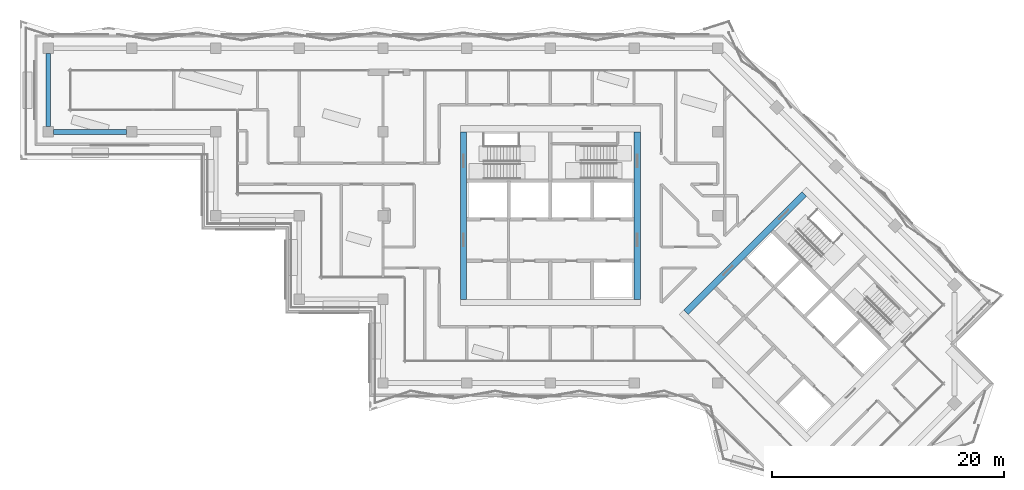
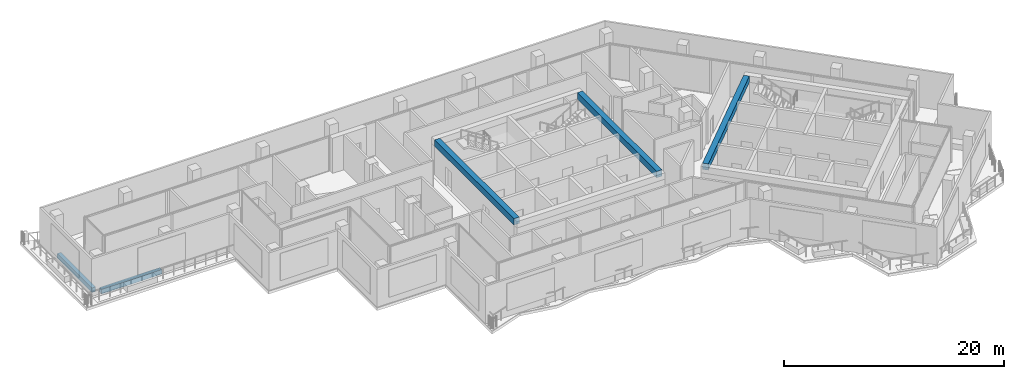
# One storey, part 4 of 19: 5 beams.
"""IFC4 building model written with IfcOpenShell, lengths in metres."""

from ifc_helpers import new_model, si_unit, direction, frame, origin, origin_2d, place, context, subcontext, project, spatial, rectangle, extrude, material, material_profile, profile_set, type_object, element, save


model = new_model("IFC4")

# Units and contexts
model_context = context("Model", 3, precision=1e-05, world=origin(), true_north=direction((0.0, 1.0)))
body_context = subcontext(model_context, "Body", "Model", "MODEL_VIEW")
ifc_project = project(units=[si_unit("LENGTHUNIT", "METRE"), si_unit("AREAUNIT", "SQUARE_METRE"), si_unit("VOLUMEUNIT", "CUBIC_METRE"), si_unit("PLANEANGLEUNIT", "RADIAN"), si_unit("MASSUNIT", "GRAM", prefix="KILO")], contexts=[model_context])

# Site, building, storey
site_placement = place(None, origin())
site = spatial("IfcSite", under=ifc_project, at=site_placement, CompositionType="ELEMENT")
building_placement = place(site_placement, origin())
building = spatial("IfcBuilding", under=site, at=building_placement, Name="Windrow Commons", CompositionType="ELEMENT")
storey_placement = place(building_placement, frame((0.0, 0.0, 176.2)))
storey = spatial("IfcBuildingStorey", under=building, at=storey_placement, Name="L48", CompositionType="ELEMENT", Elevation=176.2)

# Beams
ifc_material_1 = material(Name="Concrete C50/60", Category="concrete")
ifc_material_profile_1 = material_profile(ifc_material_1, rectangle(XDim=0.55, YDim=0.7, at=origin_2d()))
ifc_profile_set_1 = profile_set([ifc_material_profile_1], Name="Concrete C50/60")
beam_type_1 = type_object("IfcBeamType", Name="RC COUPLING BEAM 550x700 C50/60", PredefinedType="LINTEL", material=ifc_profile_set_1)
for number, where, z_axis, x_axis, name in (
    (1, (57.325, 50.4, 3.55), (0.0, 1.0, 0.0), (-1.0, 0.0, 0.0), "Core A coupling beam outer-W"),
    (2, (72.275, 50.4, 3.55), (0.0, 1.0, 0.0), (-1.0, 0.0, 0.0), "Core A coupling beam outer-E"),
):
    element("IfcBeam", number, at=place(storey_placement, frame(where, z_axis=z_axis, x_axis=x_axis)), inside=storey, type_object=beam_type_1, Name=name, PredefinedType="LINTEL", context=body_context, shape_type="SweptSolid", body=[
        extrude(rectangle(XDim=0.55, YDim=0.7, at=origin_2d()), origin(), (0.0, 0.0, 1.0), 14.4),
    ])
beam_placement = place(storey_placement, frame((76.46, 49.2842, 3.55), z_axis=(0.7071067812, 0.7071067812, 0.0), x_axis=(-0.7071067812, 0.7071067812, 0.0)))
element("IfcBeam", 3, at=beam_placement, inside=storey, type_object=beam_type_1, Name="Core B coupling beam outer-W", PredefinedType="LINTEL", context=body_context, shape_type="SweptSolid", body=[
    extrude(rectangle(XDim=0.55, YDim=0.7, at=origin_2d()), origin(), (0.0, 0.0, 1.0), 14.3999),
])
ifc_material_2 = material(Name="Concrete C50/60", Category="concrete")
ifc_material_profile_2 = material_profile(ifc_material_2, rectangle(XDim=0.4, YDim=0.5, at=origin_2d()))
ifc_profile_set_2 = profile_set([ifc_material_profile_2], Name="Concrete C50/60")
beam_type_2 = type_object("IfcBeamType", Name="RC EDGE BEAM 400x500 C50/60", PredefinedType="SPANDREL", material=ifc_profile_set_2)
for number, where, z_axis, x_axis, name in (
    (4, (28.35, 64.8, -0.55), (-1.0, 0.0, 0.0), (0.0, -1.0, 0.0), "Edge beam L48 008"),
    (5, (21.6, 65.25, -0.55), (0.0, 1.0, 0.0), (-1.0, 0.0, 0.0), "Edge beam L48 009"),
):
    element("IfcBeam", number, at=place(storey_placement, frame(where, z_axis=z_axis, x_axis=x_axis)), inside=storey, type_object=beam_type_2, Name=name, PredefinedType="SPANDREL", context=body_context, shape_type="SweptSolid", body=[
        extrude(rectangle(XDim=0.4, YDim=0.5, at=origin_2d()), origin(), (0.0, 0.0, 1.0), 6.3),
    ])

save(model, "model.ifc")
